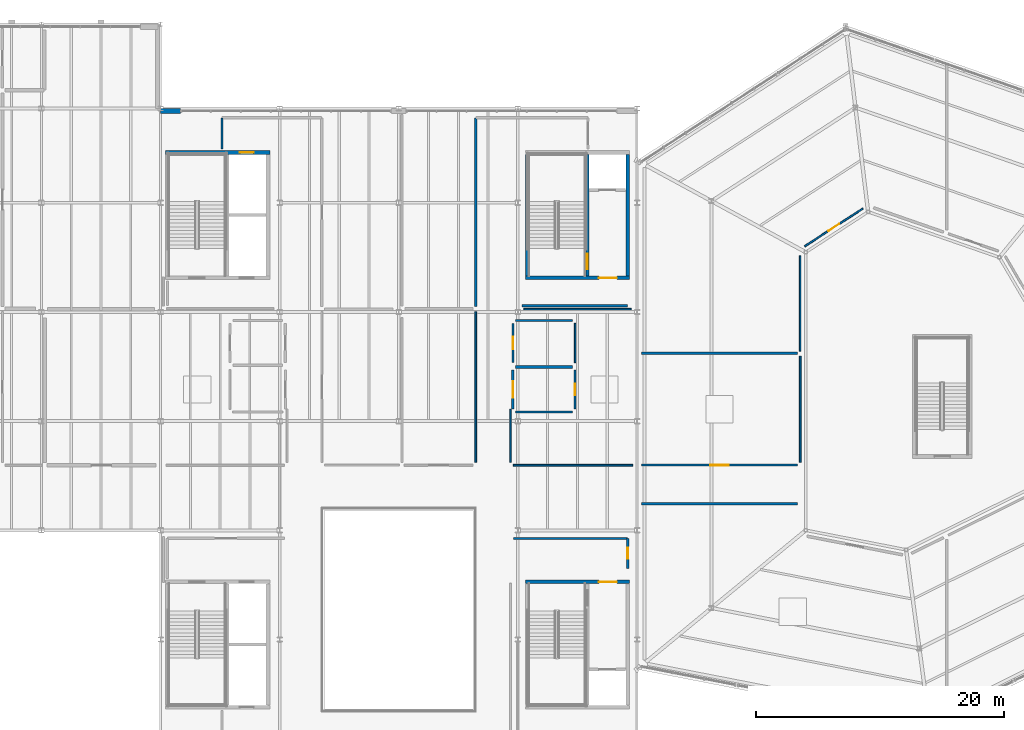
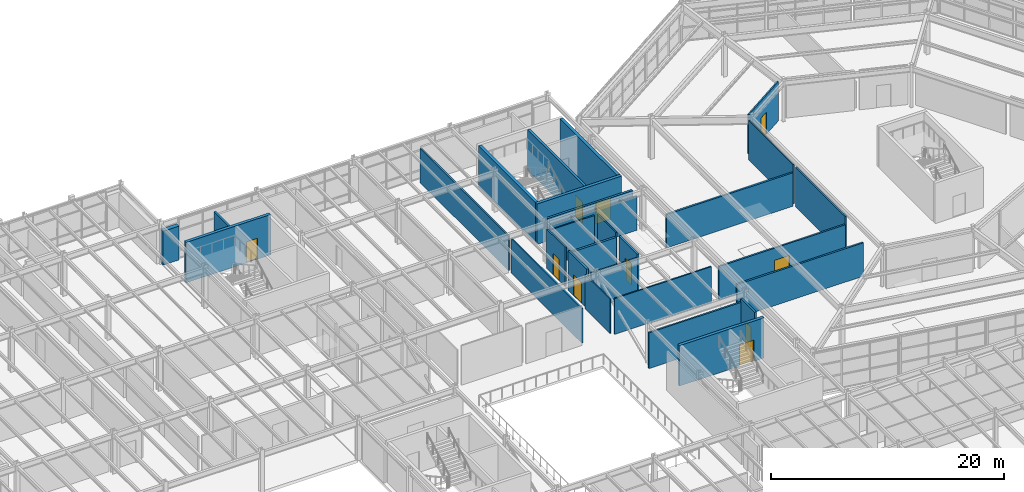
# One storey, part 61 of 77: 29 walls, 10 doors, 10 openings.
"""IFC4 building model written with IfcOpenShell, lengths in metres."""

import ifcopenshell
import ifcopenshell.guid

model = None  # the IFC model being written
_history = None  # IfcOwnerHistory: only IFC2X3 demands one
_inside = {}  # id of a spatial element -> (the spatial element, [elements in it])
_under = {}  # id of a project, library or spatial element -> (it, [spatial elements below it])
_declared = {}  # id of a project -> (the project, [libraries it declares])
_typed = {}  # id of a type object -> (the type object, [elements of that type])
_made_of = {}  # id of a material, layer set ... -> (it, [elements and type objects made of it])


def new_model(schema):
    """Start an empty IFC model of exactly this schema.

    Asked for "IFC4X3", IfcOpenShell would pick the latest addendum, in which some entities
    have other attributes; the version numbers below select the first issue.
    IFC2X3 requires an IfcOwnerHistory on every rooted entity: one is made here for all.
    """
    global model, _history
    if schema == "IFC4X3":
        model = ifcopenshell.file(schema_version=(4, 3, 0, 0))
    else:
        model = ifcopenshell.file(schema=schema)
    _inside.clear()
    _under.clear()
    _declared.clear()
    _typed.clear()
    _made_of.clear()
    _history = None
    if model.schema == "IFC2X3":
        org = make("IfcOrganization", Name="unknown")
        user = make(
            "IfcPersonAndOrganization",
            ThePerson=make("IfcPerson", FamilyName="unknown"),
            TheOrganization=org,
        )
        app = make(
            "IfcApplication",
            ApplicationDeveloper=org,
            Version="unknown",
            ApplicationFullName="unknown",
            ApplicationIdentifier="unknown",
        )
        _history = make(
            "IfcOwnerHistory",
            OwningUser=user,
            OwningApplication=app,
            ChangeAction="ADDED",
            CreationDate=0,
        )
    return model


def make(cls, **values):
    """One entity of the class cls with the attributes given. An attribute that is None is left unset."""
    return model.create_entity(
        cls, **{name: value for name, value in values.items() if value is not None}
    )


def rooted(cls, **values):
    """An entity with a GlobalId (a new one), such as an element, a storey or a relation."""
    return make(cls, GlobalId=ifcopenshell.guid.new(), OwnerHistory=_history, **values)


def si_unit(unit_type, name, prefix=None):
    """IfcSIUnit, for example si_unit("LENGTHUNIT", "METRE", prefix="MILLI")."""
    return make("IfcSIUnit", UnitType=unit_type, Prefix=prefix, Name=name)


def assignment(units):
    """IfcUnitAssignment: the units of a project."""
    return None if units is None else make("IfcUnitAssignment", Units=units)


def point(xyz):
    """IfcCartesianPoint."""
    return None if xyz is None else make("IfcCartesianPoint", Coordinates=xyz)


def direction(xyz):
    """IfcDirection."""
    return None if xyz is None else make("IfcDirection", DirectionRatios=xyz)


def frame(location, z_axis=None, x_axis=None):
    """IfcAxis2Placement3D, a coordinate frame: its origin and axes. An axis left out is left unset."""
    return make(
        "IfcAxis2Placement3D",
        Location=point(location),
        Axis=direction(z_axis),
        RefDirection=direction(x_axis),
    )


def frame_2d(location, x_axis=None):
    """IfcAxis2Placement2D, a coordinate frame in the plane: its origin and x axis."""
    return make(
        "IfcAxis2Placement2D", Location=point(location), RefDirection=direction(x_axis)
    )


def origin():
    """The frame at (0, 0, 0) with its axes left unset."""
    return frame((0.0, 0.0, 0.0))


def place(relative_to, where):
    """IfcLocalPlacement: puts the frame where relative to a parent placement (None: the world)."""
    return make(
        "IfcLocalPlacement", PlacementRelTo=relative_to, RelativePlacement=where
    )


def context(
    kind, dimensions, precision=None, world=None, true_north=None, identifier=None
):
    """IfcGeometricRepresentationContext, for example the 3D "Model" context."""
    return make(
        "IfcGeometricRepresentationContext",
        ContextIdentifier=identifier,
        ContextType=kind,
        CoordinateSpaceDimension=dimensions,
        Precision=precision,
        WorldCoordinateSystem=world,
        TrueNorth=true_north,
    )


def subcontext(parent, identifier, kind, view, scale=None):
    """IfcGeometricRepresentationSubContext, for example "Body" below "Model"."""
    return make(
        "IfcGeometricRepresentationSubContext",
        ContextIdentifier=identifier,
        ContextType=kind,
        ParentContext=parent,
        TargetScale=scale,
        TargetView=view,
    )


def project(units=None, contexts=None):
    """IfcProject with its units and contexts."""
    return rooted(
        "IfcProject",
        Name="project",
        RepresentationContexts=contexts,
        UnitsInContext=assignment(units),
    )


def spatial(cls, under=None, at=None, **own):
    """A site, building, storey or space (cls), placed at a placement, below another one or the project."""
    s = rooted(cls, ObjectPlacement=at, **own)
    if under is not None:
        _under.setdefault(under.id(), (under, []))[1].append(s)
    return s


def profile(cls, at=None, kind="AREA", **sizes):
    """A parametric profile (cls). Its sizes go by their IFC names, for example OverallWidth=200.0."""
    return make(cls, ProfileType=kind, Position=at, **sizes)


def rectangle(**sizes):
    """IfcRectangleProfileDef."""
    return profile("IfcRectangleProfileDef", **sizes)


def extrude(swept, where, along, depth):
    """IfcExtrudedAreaSolid: the profile swept, set in the frame where, extruded along a direction by depth."""
    return make(
        "IfcExtrudedAreaSolid",
        SweptArea=swept,
        Position=where,
        ExtrudedDirection=direction(along),
        Depth=depth,
    )


def shape(context_of_items, identifier, shape_type, items):
    """IfcShapeRepresentation: the items that make up one representation, for example the "Body"."""
    return make(
        "IfcShapeRepresentation",
        ContextOfItems=context_of_items,
        RepresentationIdentifier=identifier,
        RepresentationType=shape_type,
        Items=items,
    )


def material(Name=None, Category=None):
    """IfcMaterial."""
    return make("IfcMaterial", Name=Name, Category=Category)


def layer(
    of_material, thickness, ventilated=None, Name=None, Category=None, Priority=None
):
    """IfcMaterialLayer: one layer of a wall or slab, of a material (None: an air gap)."""
    return make(
        "IfcMaterialLayer",
        Material=of_material,
        LayerThickness=thickness,
        IsVentilated=ventilated,
        Name=Name,
        Category=Category,
        Priority=Priority,
    )


def layer_set(layers, Name=None):
    """IfcMaterialLayerSet."""
    return make("IfcMaterialLayerSet", MaterialLayers=layers, LayerSetName=Name)


def made_of(thing, what):
    """Note that an element or type object is made of a material, layer set ...; save() writes the relation."""
    if what is not None:
        _made_of.setdefault(what.id(), (what, []))[1].append(thing)
    return thing


def type_object(cls, material=None, **own):
    """A type object (cls), such as IfcWallType, which elements share."""
    return made_of(rooted(cls, **own), material)


def element(
    cls,
    number,
    at=None,
    inside=None,
    cuts=None,
    type_object=None,
    material=None,
    context=None,
    identifier="Body",
    shape_type=None,
    held_by="IfcProductDefinitionShape",
    body=None,
    shapes=None,
    **own,
):
    """One element of the class cls, such as IfcWall. Its Tag is "e" and its number.

    at: its placement. inside: the storey or other place that contains it. cuts: it is an
    opening in that element (IfcRelVoidsElement). A single representation is given by context,
    identifier, shape_type and body (its items); several are given by shapes. held_by: the class
    of the entity that holds the representations. save() writes the other relations.
    """
    e = rooted(cls, Tag="e%d" % number, ObjectPlacement=at, **own)
    if body is not None:
        shapes = [shape(context, identifier, shape_type, body)]
    if shapes is not None:
        e.Representation = make(held_by, Representations=shapes)
    if inside is not None:
        _inside.setdefault(inside.id(), (inside, []))[1].append(e)
    if cuts is not None:
        rooted(
            "IfcRelVoidsElement", RelatingBuildingElement=cuts, RelatedOpeningElement=e
        )
    if type_object is not None:
        _typed.setdefault(type_object.id(), (type_object, []))[1].append(e)
    return made_of(e, material)


def fill(opening, filler):
    """IfcRelFillsElement: the door or window that sits in an opening."""
    return rooted(
        "IfcRelFillsElement",
        RelatingOpeningElement=opening,
        RelatedBuildingElement=filler,
    )


def aggregate(whole, parts):
    """IfcRelAggregates: a whole, such as a stair, and the parts it consists of."""
    return rooted("IfcRelAggregates", RelatingObject=whole, RelatedObjects=parts)


def save(model, path):
    """Write the relations noted so far, then the file.

    IfcRelAggregates (storeys below a building ...), IfcRelContainedInSpatialStructure (elements
    in a storey), IfcRelDefinesByType, IfcRelAssociatesMaterial and IfcRelDeclares: one each for
    every whole, place, type object, material and project.
    """
    for whole, parts in _under.values():
        aggregate(whole, parts)
    for where, things in _inside.values():
        rooted(
            "IfcRelContainedInSpatialStructure",
            RelatedElements=things,
            RelatingStructure=where,
        )
    for kind, things in _typed.values():
        rooted("IfcRelDefinesByType", RelatedObjects=things, RelatingType=kind)
    for what, things in _made_of.values():
        rooted("IfcRelAssociatesMaterial", RelatedObjects=things, RelatingMaterial=what)
    for by, libraries in _declared.values():
        rooted("IfcRelDeclares", RelatingContext=by, RelatedDefinitions=libraries)
    model.write(path)


model = new_model("IFC4")

# Units and contexts
model_context = context("Model", 3, precision=1e-05, world=origin(), true_north=direction((0.0, 1.0)))
body_context = subcontext(model_context, "Body", "Model", "MODEL_VIEW")
ifc_project = project(units=[si_unit("LENGTHUNIT", "METRE"), si_unit("AREAUNIT", "SQUARE_METRE"), si_unit("VOLUMEUNIT", "CUBIC_METRE"), si_unit("PLANEANGLEUNIT", "RADIAN"), si_unit("MASSUNIT", "GRAM", prefix="KILO")], contexts=[model_context])

# Site, building, storey
site_placement = place(None, origin())
site = spatial("IfcSite", under=ifc_project, at=site_placement, CompositionType="ELEMENT")
building_placement = place(site_placement, origin())
building = spatial("IfcBuilding", under=site, at=building_placement, Name="Sarnbrook Museum", CompositionType="ELEMENT")
storey_placement = place(building_placement, frame((0.0, 0.0, 5.60009765625)))
storey = spatial("IfcBuildingStorey", under=building, at=storey_placement, Name="L01", CompositionType="ELEMENT", Elevation=5.60009765625)

# Wall, opening, door
ifc_material_1 = material(Name="Concrete N50 (AS 3600, f'c = 50 MPa)", Category="concrete")
ifc_layer_1 = layer(ifc_material_1, 0.300048828125)
ifc_layer_set_1 = layer_set([ifc_layer_1], Name="Concrete N50 (AS 3600, f'c = 50 MPa)")
wall_type_1 = type_object("IfcWallType", Name="CoreWall_CWRC", PredefinedType="SHEAR", material=ifc_layer_set_1)
wall_1_placement = place(storey_placement, frame((118.60009765625, 70.25, 0.0), z_axis=(0.0, 0.0, 1.0), x_axis=(-1.0, 0.0, 0.0)))
wall_1 = element("IfcWall", 1, at=wall_1_placement, inside=storey, type_object=wall_type_1, Name="Core C1 Shear Wall N L01", PredefinedType="SHEAR", context=body_context, shape_type="SweptSolid", body=[
    extrude(rectangle(XDim=8.400146484375, YDim=0.300048828125, at=frame_2d((4.2001953125, 0.0))), origin(), (0.0, 0.0, 1.0), 4.244873046875),
])
opening_1_placement = place(wall_1_placement, frame((1.02490234375, 0.0, 0.0)))
opening_1 = element("IfcOpeningElement", 2, at=opening_1_placement, cuts=wall_1, Name="Opening D-LOB-C1-L01", PredefinedType="OPENING", context=body_context, shape_type="SweptSolid", body=[
    extrude(rectangle(XDim=1.449951171875, YDim=2.25, at=frame_2d((0.72509765625, 1.125))), frame((0.0, 0.16015625, 0.0), z_axis=(0.0, -1.0, 0.0), x_axis=(1.0, 0.0, 0.0)), (0.0, 0.0, 1.0), 0.320068359375),
])
ifc_material_2 = material(Name="Tasmanian Oak Acoustic Timber", Category="wood")
door_type_1 = type_object("IfcDoorType", Name="FireDoor_FD120W", OperationType="NOTDEFINED", PredefinedType="DOOR", material=ifc_material_2)
door_1_placement = place(opening_1_placement, origin())
door_1 = element("IfcDoor", 3, at=door_1_placement, inside=storey, type_object=door_type_1, Name="Core C1 Fire Lobby Entry Door L01", OperationType="SINGLE_SWING_RIGHT", OverallHeight=2.25, OverallWidth=1.449951171875, PredefinedType="DOOR", context=body_context, shape_type="SweptSolid", body=[
    extrude(rectangle(XDim=1.449951171875, YDim=2.25, at=frame_2d((0.72509765625, 1.125))), frame((0.0, 0.02490234375, 0.0), z_axis=(0.0, -1.0, 0.0), x_axis=(1.0, 0.0, 0.0)), (0.0, 0.0, 1.0), 0.050048828125),
])
fill(opening_1, door_1)

wall_2_placement = place(storey_placement, frame((110.199951171875, 94.75, 0.0), z_axis=(0.0, 0.0, 1.0), x_axis=(1.0, 0.0, 0.0)))
wall_2 = element("IfcWall", 4, at=wall_2_placement, inside=storey, type_object=wall_type_1, Name="Core C2 Shear Wall S L01", PredefinedType="SHEAR", context=body_context, shape_type="SweptSolid", body=[
    extrude(rectangle(XDim=8.400146484375, YDim=0.300048828125, at=frame_2d((4.2001953125, 0.0))), origin(), (0.0, 0.0, 1.0), 4.244873046875),
])
opening_2_placement = place(wall_2_placement, frame((5.925048828125, 0.0, 0.0)))
opening_2 = element("IfcOpeningElement", 5, at=opening_2_placement, cuts=wall_2, Name="Opening D-LOB-C2-L01", PredefinedType="OPENING", context=body_context, shape_type="SweptSolid", body=[
    extrude(rectangle(XDim=1.449951171875, YDim=2.25, at=frame_2d((0.72509765625, 1.125))), frame((0.0, 0.16015625, 0.0), z_axis=(0.0, -1.0, 0.0), x_axis=(1.0, 0.0, 0.0)), (0.0, 0.0, 1.0), 0.320068359375),
])
door_2_placement = place(opening_2_placement, origin())
door_2 = element("IfcDoor", 6, at=door_2_placement, inside=storey, type_object=door_type_1, Name="Core C2 Fire Lobby Entry Door L01", OperationType="SINGLE_SWING_RIGHT", OverallHeight=2.25, OverallWidth=1.449951171875, PredefinedType="DOOR", context=body_context, shape_type="SweptSolid", body=[
    extrude(rectangle(XDim=1.449951171875, YDim=2.25, at=frame_2d((0.72509765625, 1.125))), frame((0.0, 0.02490234375, 0.0), z_axis=(0.0, -1.0, 0.0), x_axis=(1.0, 0.0, 0.0)), (0.0, 0.0, 1.0), 0.050048828125),
])
fill(opening_2, door_2)

# Walls
for number, where, z_axis, x_axis, name in (
    (7, (118.449951171875, 94.909912109375, 0.0), (0.0, 0.0, 1.0), (0.0, 1.0, 0.0), "Core C2 Shear Wall E L01"),
    (8, (110.35009765625, 104.68994140625, 0.0), (0.0, 0.0, 1.0), (0.0, -1.0, 0.0), "Core C2 Shear Wall W L01"),
):
    element("IfcWall", number, at=place(storey_placement, frame(where, z_axis=z_axis, x_axis=x_axis)), inside=storey, type_object=wall_type_1, Name=name, PredefinedType="SHEAR", context=body_context, shape_type="SweptSolid", body=[
        extrude(rectangle(XDim=9.780029296875, YDim=0.300048828125, at=frame_2d((4.89013671875, 0.0))), origin(), (0.0, 0.0, 1.0), 4.244873046875),
    ])

# Wall, opening, door
wall_3_placement = place(storey_placement, frame((89.60009765625, 104.85009765625, 0.0), z_axis=(0.0, 0.0, 1.0), x_axis=(-1.0, 0.0, 0.0)))
wall_3 = element("IfcWall", 9, at=wall_3_placement, inside=storey, type_object=wall_type_1, Name="Core C4 Shear Wall N L01", PredefinedType="SHEAR", context=body_context, shape_type="SweptSolid", body=[
    extrude(rectangle(XDim=8.400146484375, YDim=0.300048828125, at=frame_2d((4.2001953125, 0.0))), origin(), (0.0, 0.0, 1.0), 4.244873046875),
])
opening_3_placement = place(wall_3_placement, frame((1.300048828125, 0.0, 0.0)))
opening_3 = element("IfcOpeningElement", 10, at=opening_3_placement, cuts=wall_3, Name="Opening LD-PL4-L01", PredefinedType="OPENING", context=body_context, shape_type="SweptSolid", body=[
    extrude(rectangle(XDim=1.10009765625, YDim=2.199951171875, at=frame_2d((0.550048828125, 1.10009765625))), frame((0.0, 0.16015625, 0.0), z_axis=(0.0, -1.0, 0.0), x_axis=(1.0, 0.0, 0.0)), (0.0, 0.0, 1.0), 0.320068359375),
])
ifc_material_3 = material(Name="Brushed Stainless Steel Grade 316", Category="steel")
door_type_2 = type_object("IfcDoorType", Name="LiftDoor_Pax110", OperationType="DOUBLE_DOOR_SLIDING", PredefinedType="DOOR", material=ifc_material_3)
door_3_placement = place(opening_3_placement, origin())
door_3 = element("IfcDoor", 11, at=door_3_placement, inside=storey, type_object=door_type_2, Name="Lift Landing Sliding Door LD-PL4-L01", OperationType="DOUBLE_DOOR_SLIDING", OverallHeight=2.199951171875, OverallWidth=1.10009765625, PredefinedType="DOOR", context=body_context, shape_type="SweptSolid", body=[
    extrude(rectangle(XDim=1.10009765625, YDim=2.199951171875, at=frame_2d((0.550048828125, 1.10009765625))), frame((0.0, 0.02490234375, 0.0), z_axis=(0.0, -1.0, 0.0), x_axis=(1.0, 0.0, 0.0)), (0.0, 0.0, 1.0), 0.050048828125),
])
fill(opening_3, door_3)

# Walls
ifc_material_4 = material(Name="Fire-Rated Acoustic Gypsum Plasterboard")
ifc_layer_2 = layer(ifc_material_4, 0.1201171875)
ifc_layer_set_2 = layer_set([ifc_layer_2], Name="Fire-Rated Acoustic Gypsum Plasterboard")
wall_type_2 = type_object("IfcWallType", Name="PartWall_P120", PredefinedType="PARTITIONING", material=ifc_layer_set_2)
wall_4_placement = place(storey_placement, frame((114.2099609375, 91.080078125, 0.0), z_axis=(0.0, 0.0, 1.0), x_axis=(0.0, -1.0, 0.0)))
element("IfcWall", 12, at=wall_4_placement, inside=storey, type_object=wall_type_2, Name="Interior Partition Wall L01-0300", PredefinedType="PARTITIONING", context=body_context, shape_type="SweptSolid", body=[
    extrude(rectangle(XDim=3.16015625, YDim=0.1201171875, at=frame_2d((1.580078125, 0.0))), origin(), (0.0, 0.0, 1.0), 3.916015625),
])
wall_5_placement = place(storey_placement, frame((132.35009765625, 96.52734375, 0.0), z_axis=(0.0, 0.0, 1.0), x_axis=(0.0, -1.0, 0.0)))
element("IfcWall", 13, at=wall_5_placement, inside=storey, type_object=wall_type_2, Name="Interior Partition Wall L01-0314", PredefinedType="PARTITIONING", context=body_context, shape_type="SweptSolid", body=[
    extrude(rectangle(XDim=7.674560546875, YDim=0.1201171875, at=frame_2d((3.83740234375, 0.0))), origin(), (0.0, 0.0, 1.0), 4.1298828125),
])
wall_6_placement = place(storey_placement, frame((118.719970703125, 92.219970703125, 0.0), z_axis=(0.0, 0.0, 1.0), x_axis=(-1.0, 0.0, 0.0)))
element("IfcWall", 14, at=wall_6_placement, inside=storey, type_object=wall_type_2, Name="Interior Partition Wall L01-0356", PredefinedType="PARTITIONING", context=body_context, shape_type="SweptSolid", body=[
    extrude(rectangle(XDim=8.639892578125, YDim=0.1201171875, at=frame_2d((4.31982421875, 0.0))), origin(), (0.0, 0.0, 1.0), 3.61279296875),
])
wall_7_placement = place(storey_placement, frame((109.0, 79.8798828125, 0.0), z_axis=(0.0, 0.0, 1.0), x_axis=(0.0, 1.0, 0.0)))
element("IfcWall", 15, at=wall_7_placement, inside=storey, type_object=wall_type_2, Name="Interior Partition Wall L01-0370", PredefinedType="PARTITIONING", context=body_context, shape_type="SweptSolid", body=[
    extrude(rectangle(XDim=4.2900390625, YDim=0.1201171875, at=frame_2d((2.14501953125, 0.0))), origin(), (0.0, 0.0, 1.0), 3.61279296875),
])
ifc_layer_3 = layer(ifc_material_4, 0.135009765625)
ifc_layer_set_3 = layer_set([ifc_layer_3], Name="Fire-Rated Acoustic Gypsum Plasterboard")
wall_type_3 = type_object("IfcWallType", Name="PartWall_P135", PredefinedType="PARTITIONING", material=ifc_layer_set_3)
wall_8_placement = place(storey_placement, frame((109.419921875, 91.31005859375, 0.0), z_axis=(0.0, 0.0, 1.0), x_axis=(1.0, 0.0, 0.0)))
element("IfcWall", 16, at=wall_8_placement, inside=storey, type_object=wall_type_3, Name="Interior Partition Wall L01-0299", PredefinedType="PARTITIONING", context=body_context, shape_type="SweptSolid", body=[
    extrude(rectangle(XDim=4.56005859375, YDim=0.135009765625, at=frame_2d((2.280029296875, 0.0))), origin(), (0.0, 0.0, 1.0), 3.762939453125),
])

# Wall, opening, door
wall_9_placement = place(storey_placement, frame((137.409423828125, 100.339111328125, 0.0), z_axis=(0.0, 0.0, 1.0), x_axis=(-0.838914477988, -0.544263262238, 0.0)))
wall_9 = element("IfcWall", 17, at=wall_9_placement, inside=storey, type_object=wall_type_3, Name="Interior Partition Wall L01-0313", PredefinedType="PARTITIONING", context=body_context, shape_type="SweptSolid", body=[
    extrude(rectangle(XDim=5.599609375, YDim=0.135009765625, at=frame_2d((2.7998046875, 0.0))), origin(), (0.0, 0.0, 1.0), 4.1298828125),
])
opening_4_placement = place(wall_9_placement, frame((2.27490234375, 0.0, 0.0)))
opening_4 = element("IfcOpeningElement", 18, at=opening_4_placement, cuts=wall_9, Name="Opening D-L01-097", PredefinedType="OPENING", context=body_context, shape_type="SweptSolid", body=[
    extrude(rectangle(XDim=1.050048828125, YDim=2.340087890625, at=frame_2d((0.52490234375, 1.169921875))), frame((0.0, 0.07763671875, 0.0), z_axis=(0.0, -1.0, 0.0), x_axis=(1.0, 0.0, 0.0)), (0.0, 0.0, 1.0), 0.155029296875),
])
door_type_3 = type_object("IfcDoorType", Name="IntDoor_DT21", OperationType="NOTDEFINED", PredefinedType="DOOR", material=ifc_material_2)
door_4_placement = place(opening_4_placement, origin())
door_4 = element("IfcDoor", 19, at=door_4_placement, inside=storey, type_object=door_type_3, Name="Auditorium Upper Balcony & Projection L01-3 Door D-L01-097", OperationType="SINGLE_SWING_LEFT", OverallHeight=2.340087890625, OverallWidth=1.050048828125, PredefinedType="DOOR", context=body_context, shape_type="SweptSolid", body=[
    extrude(rectangle(XDim=1.050048828125, YDim=2.340087890625, at=frame_2d((0.52490234375, 1.169921875))), frame((0.0, 0.02490234375, 0.0), z_axis=(0.0, -1.0, 0.0), x_axis=(1.0, 0.0, 0.0)), (0.0, 0.0, 1.0), 0.050048828125),
])
fill(opening_4, door_4)

# Walls
wall_10_placement = place(storey_placement, frame((106.199951171875, 92.030029296875, 0.0), z_axis=(0.0, 0.0, 1.0), x_axis=(0.0, -1.0, 0.0)))
element("IfcWall", 20, at=wall_10_placement, inside=storey, type_object=wall_type_3, Name="Interior Partition Wall L01-0355", PredefinedType="PARTITIONING", context=body_context, shape_type="SweptSolid", body=[
    extrude(rectangle(XDim=12.150146484375, YDim=0.135009765625, at=frame_2d((6.0751953125, 0.0))), origin(), (0.0, 0.0, 1.0), 3.61279296875),
])
wall_11_placement = place(storey_placement, frame((118.840087890625, 79.64990234375, 0.0), z_axis=(0.0, 0.0, 1.0), x_axis=(-1.0, 0.0, 0.0)))
element("IfcWall", 21, at=wall_11_placement, inside=storey, type_object=wall_type_3, Name="Interior Partition Wall L01-0369", PredefinedType="PARTITIONING", context=body_context, shape_type="SweptSolid", body=[
    extrude(rectangle(XDim=9.610107421875, YDim=0.135009765625, at=frame_2d((4.80517578125, 0.0))), origin(), (0.0, 0.0, 1.0), 3.762939453125),
])

# Wall, opening, door
ifc_layer_4 = layer(ifc_material_4, 0.14990234375)
ifc_layer_set_4 = layer_set([ifc_layer_4], Name="Fire-Rated Acoustic Gypsum Plasterboard")
wall_type_4 = type_object("IfcWallType", Name="PartWall_P150", PredefinedType="PARTITIONING", material=ifc_layer_set_4)
wall_12_placement = place(storey_placement, frame((109.18994140625, 87.919921875, 0.0), z_axis=(0.0, 0.0, 1.0), x_axis=(0.0, 1.0, 0.0)))
wall_12 = element("IfcWall", 22, at=wall_12_placement, inside=storey, type_object=wall_type_4, Name="Interior Partition Wall L01-0298", PredefinedType="PARTITIONING", context=body_context, shape_type="SweptSolid", body=[
    extrude(rectangle(XDim=3.16015625, YDim=0.14990234375, at=frame_2d((1.580078125, 0.0))), origin(), (0.0, 0.0, 1.0), 4.1298828125),
])
opening_5_placement = place(wall_12_placement, frame((1.070068359375, 0.0, 0.0)))
opening_5 = element("IfcOpeningElement", 23, at=opening_5_placement, cuts=wall_12, Name="Opening D-L01-091", PredefinedType="OPENING", context=body_context, shape_type="SweptSolid", body=[
    extrude(rectangle(XDim=1.02001953125, YDim=2.239990234375, at=frame_2d((0.510009765625, 1.1201171875))), frame((0.0, 0.0849609375, 0.0), z_axis=(0.0, -1.0, 0.0), x_axis=(1.0, 0.0, 0.0)), (0.0, 0.0, 1.0), 0.169921875),
])
door_type_4 = type_object("IfcDoorType", Name="IntDoor_DT15", OperationType="NOTDEFINED", PredefinedType="DOOR", material=ifc_material_2)
door_5_placement = place(opening_5_placement, origin())
door_5 = element("IfcDoor", 24, at=door_5_placement, inside=storey, type_object=door_type_4, Name="Public Female Toilets L01 Door D-L01-091", OperationType="SINGLE_SWING_LEFT", OverallHeight=2.239990234375, OverallWidth=1.02001953125, PredefinedType="DOOR", context=body_context, shape_type="SweptSolid", body=[
    extrude(rectangle(XDim=1.02001953125, YDim=2.239990234375, at=frame_2d((0.510009765625, 1.1201171875))), frame((0.0, 0.02490234375, 0.0), z_axis=(0.0, -1.0, 0.0), x_axis=(1.0, 0.0, 0.0)), (0.0, 0.0, 1.0), 0.050048828125),
])
fill(opening_5, door_5)

# Walls
wall_13_placement = place(storey_placement, frame((132.35009765625, 88.432861328125, 0.0), z_axis=(0.0, 0.0, 1.0), x_axis=(0.0, -1.0, 0.0)))
element("IfcWall", 25, at=wall_13_placement, inside=storey, type_object=wall_type_4, Name="Interior Partition Wall L01-0312", PredefinedType="PARTITIONING", context=body_context, shape_type="SweptSolid", body=[
    extrude(rectangle(XDim=8.552978515625, YDim=0.14990234375, at=frame_2d((4.2763671875, 0.0))), origin(), (0.0, 0.0, 1.0), 4.1298828125),
])
ifc_layer_5 = layer(ifc_material_4, 0.1650390625)
ifc_layer_set_5 = layer_set([ifc_layer_5], Name="Fire-Rated Acoustic Gypsum Plasterboard")
wall_type_5 = type_object("IfcWallType", Name="PartWall_P165", PredefinedType="PARTITIONING", material=ifc_layer_set_5)
wall_14_placement = place(storey_placement, frame((113.97998046875, 83.93994140625, 0.0), z_axis=(0.0, 0.0, 1.0), x_axis=(-1.0, 0.0, 0.0)))
element("IfcWall", 26, at=wall_14_placement, inside=storey, type_object=wall_type_5, Name="Interior Partition Wall L01-0297", PredefinedType="PARTITIONING", context=body_context, shape_type="SweptSolid", body=[
    extrude(rectangle(XDim=4.56005859375, YDim=0.1650390625, at=frame_2d((2.280029296875, 0.0))), origin(), (0.0, 0.0, 1.0), 3.762939453125),
])

# Wall, opening, door
wall_15_placement = place(storey_placement, frame((132.1201171875, 79.64990234375, 0.0), z_axis=(0.0, 0.0, 1.0), x_axis=(-1.0, 0.0, 0.0)))
wall_15 = element("IfcWall", 27, at=wall_15_placement, inside=storey, type_object=wall_type_5, Name="Interior Partition Wall L01-0311", PredefinedType="PARTITIONING", context=body_context, shape_type="SweptSolid", body=[
    extrude(rectangle(XDim=12.56005859375, YDim=0.1650390625, at=frame_2d((6.280029296875, 0.0))), origin(), (0.0, 0.0, 1.0), 3.510009765625),
])
opening_6_placement = place(wall_15_placement, frame((5.5400390625, 0.0, 0.0)))
opening_6 = element("IfcOpeningElement", 28, at=opening_6_placement, cuts=wall_15, Name="Opening D-L01-096", PredefinedType="OPENING", context=body_context, shape_type="SweptSolid", body=[
    extrude(rectangle(XDim=1.47998046875, YDim=2.239990234375, at=frame_2d((0.739990234375, 1.1201171875))), frame((0.0, 0.092529296875, 0.0), z_axis=(0.0, -1.0, 0.0), x_axis=(1.0, 0.0, 0.0)), (0.0, 0.0, 1.0), 0.18505859375),
])
door_type_5 = type_object("IfcDoorType", Name="IntDoor_DT20", OperationType="NOTDEFINED", PredefinedType="DOOR", material=ifc_material_2)
door_6_placement = place(opening_6_placement, origin())
door_6 = element("IfcDoor", 29, at=door_6_placement, inside=storey, type_object=door_type_5, Name="Southern Ocean Specimen Hall L01-2 Door D-L01-096", OperationType="SINGLE_SWING_RIGHT", OverallHeight=2.239990234375, OverallWidth=1.47998046875, PredefinedType="DOOR", context=body_context, shape_type="SweptSolid", body=[
    extrude(rectangle(XDim=1.47998046875, YDim=2.239990234375, at=frame_2d((0.739990234375, 1.1201171875))), frame((0.0, 0.02490234375, 0.0), z_axis=(0.0, -1.0, 0.0), x_axis=(1.0, 0.0, 0.0)), (0.0, 0.0, 1.0), 0.050048828125),
])
fill(opening_6, door_6)

# Walls
wall_16_placement = place(storey_placement, frame((106.199951171875, 107.639892578125, 0.0), z_axis=(0.0, 0.0, 1.0), x_axis=(0.0, -1.0, 0.0)))
element("IfcWall", 30, at=wall_16_placement, inside=storey, type_object=wall_type_5, Name="Interior Partition Wall L01-0360", PredefinedType="PARTITIONING", context=body_context, shape_type="SweptSolid", body=[
    extrude(rectangle(XDim=15.18994140625, YDim=0.1650390625, at=frame_2d((7.594970703125, 0.0))), origin(), (0.0, 0.0, 1.0), 3.61279296875),
])
wall_17_placement = place(storey_placement, frame((118.43994140625, 73.75, 0.0), z_axis=(0.0, 0.0, 1.0), x_axis=(-1.0, 0.0, 0.0)))
element("IfcWall", 31, at=wall_17_placement, inside=storey, type_object=wall_type_5, Name="Interior Partition Wall L01-0367", PredefinedType="PARTITIONING", context=body_context, shape_type="SweptSolid", body=[
    extrude(rectangle(XDim=9.2099609375, YDim=0.1650390625, at=frame_2d((4.60498046875, 0.0))), origin(), (0.0, 0.0, 1.0), 3.762939453125),
])

# Wall, opening, door
ifc_layer_6 = layer(ifc_material_4, 0.179931640625)
ifc_layer_set_6 = layer_set([ifc_layer_6], Name="Fire-Rated Acoustic Gypsum Plasterboard")
wall_type_6 = type_object("IfcWallType", Name="PartWall_P180", PredefinedType="PARTITIONING", material=ifc_layer_set_6)
wall_18_placement = place(storey_placement, frame((114.2099609375, 87.330078125, 0.0), z_axis=(0.0, 0.0, 1.0), x_axis=(0.0, -1.0, 0.0)))
wall_18 = element("IfcWall", 32, at=wall_18_placement, inside=storey, type_object=wall_type_6, Name="Interior Partition Wall L01-0296", PredefinedType="PARTITIONING", context=body_context, shape_type="SweptSolid", body=[
    extrude(rectangle(XDim=3.16015625, YDim=0.179931640625, at=frame_2d((1.580078125, 0.0))), origin(), (0.0, 0.0, 1.0), 3.916015625),
])
opening_7_placement = place(wall_18_placement, frame((1.10009765625, 0.0, 0.0)))
opening_7 = element("IfcOpeningElement", 33, at=opening_7_placement, cuts=wall_18, Name="Opening D-L01-090", PredefinedType="OPENING", context=body_context, shape_type="SweptSolid", body=[
    extrude(rectangle(XDim=0.9599609375, YDim=2.239990234375, at=frame_2d((0.47998046875, 1.1201171875))), frame((0.0, 0.10009765625, 0.0), z_axis=(0.0, -1.0, 0.0), x_axis=(1.0, 0.0, 0.0)), (0.0, 0.0, 1.0), 0.199951171875),
])
door_type_6 = type_object("IfcDoorType", Name="IntDoor_DT14", OperationType="NOTDEFINED", PredefinedType="DOOR", material=ifc_material_2)
door_7_placement = place(opening_7_placement, frame((0.9599609375, 0.0, 0.0), z_axis=(0.0, 0.0, 1.0), x_axis=(-1.0, 0.0, 0.0)))
door_7 = element("IfcDoor", 34, at=door_7_placement, inside=storey, type_object=door_type_6, Name="Southern Ocean Specimen Hall L01-23 Door D-L01-090", OperationType="SINGLE_SWING_RIGHT", OverallHeight=2.239990234375, OverallWidth=0.9599609375, PredefinedType="DOOR", context=body_context, shape_type="SweptSolid", body=[
    extrude(rectangle(XDim=0.9599609375, YDim=2.239990234375, at=frame_2d((0.47998046875, 1.1201171875))), frame((0.0, 0.02490234375, 0.0), z_axis=(0.0, -1.0, 0.0), x_axis=(1.0, 0.0, 0.0)), (0.0, 0.0, 1.0), 0.050048828125),
])
fill(opening_7, door_7)

# Walls
wall_19_placement = place(storey_placement, frame((119.56005859375, 76.550048828125, 0.0), z_axis=(0.0, 0.0, 1.0), x_axis=(1.0, 0.0, 0.0)))
element("IfcWall", 35, at=wall_19_placement, inside=storey, type_object=wall_type_6, Name="Interior Partition Wall L01-0310", PredefinedType="PARTITIONING", context=body_context, shape_type="SweptSolid", body=[
    extrude(rectangle(XDim=12.56005859375, YDim=0.179931640625, at=frame_2d((6.280029296875, 0.0))), origin(), (0.0, 0.0, 1.0), 3.510009765625),
])
wall_20_placement = place(storey_placement, frame((85.75, 107.639892578125, 0.0), z_axis=(0.0, 0.0, 1.0), x_axis=(0.0, -1.0, 0.0)))
element("IfcWall", 36, at=wall_20_placement, inside=storey, type_object=wall_type_6, Name="Interior Partition Wall L01-0338", PredefinedType="PARTITIONING", context=body_context, shape_type="SweptSolid", body=[
    extrude(rectangle(XDim=2.519775390625, YDim=0.179931640625, at=frame_2d((1.259765625, 0.0))), origin(), (0.0, 0.0, 1.0), 4.1298828125),
])

# Wall, opening, door
wall_21_placement = place(storey_placement, frame((118.449951171875, 71.342041015625, 0.0), z_axis=(0.0, 0.0, 1.0), x_axis=(0.0, 1.0, 0.0)))
wall_21 = element("IfcWall", 37, at=wall_21_placement, inside=storey, type_object=wall_type_6, Name="Interior Partition Wall L01-0366", PredefinedType="PARTITIONING", context=body_context, shape_type="SweptSolid", body=[
    extrude(rectangle(XDim=2.39794921875, YDim=0.179931640625, at=frame_2d((1.198974609375, 0.0))), origin(), (0.0, 0.0, 1.0), 4.1298828125),
])
opening_8_placement = place(wall_21_placement, frame((0.7490234375, 0.0, 0.0)))
opening_8 = element("IfcOpeningElement", 38, at=opening_8_placement, cuts=wall_21, Name="Opening D-L01-115", PredefinedType="OPENING", context=body_context, shape_type="SweptSolid", body=[
    extrude(rectangle(XDim=0.89990234375, YDim=2.080078125, at=frame_2d((0.449951171875, 1.0400390625))), frame((0.0, 0.10009765625, 0.0), z_axis=(0.0, -1.0, 0.0), x_axis=(1.0, 0.0, 0.0)), (0.0, 0.0, 1.0), 0.199951171875),
])
door_type_7 = type_object("IfcDoorType", Name="IntDoor_DT01", OperationType="NOTDEFINED", PredefinedType="DOOR", material=ifc_material_2)
door_8_placement = place(opening_8_placement, origin())
door_8 = element("IfcDoor", 39, at=door_8_placement, inside=storey, type_object=door_type_7, Name="Marine Biodiversity Gallery L01-22 Door D-L01-115", OperationType="SINGLE_SWING_LEFT", OverallHeight=2.080078125, OverallWidth=0.89990234375, PredefinedType="DOOR", context=body_context, shape_type="SweptSolid", body=[
    extrude(rectangle(XDim=0.89990234375, YDim=2.080078125, at=frame_2d((0.449951171875, 1.0400390625))), frame((0.0, 0.02490234375, 0.0), z_axis=(0.0, -1.0, 0.0), x_axis=(1.0, 0.0, 0.0)), (0.0, 0.0, 1.0), 0.050048828125),
])
fill(opening_8, door_8)

# Wall
wall_22_placement = place(storey_placement, frame((119.56005859375, 88.662841796875, 0.0), z_axis=(0.0, 0.0, 1.0), x_axis=(1.0, 0.0, 0.0)))
element("IfcWall", 40, at=wall_22_placement, inside=storey, type_object=wall_type_6, Name="Interior Partition Wall L01-0422", PredefinedType="PARTITIONING", context=body_context, shape_type="SweptSolid", body=[
    extrude(rectangle(XDim=12.56005859375, YDim=0.179931640625, at=frame_2d((6.280029296875, 0.0))), origin(), (0.0, 0.0, 1.0), 3.510009765625),
])

# Wall, opening, door
ifc_layer_7 = layer(ifc_material_4, 0.195068359375)
ifc_layer_set_7 = layer_set([ifc_layer_7], Name="Fire-Rated Acoustic Gypsum Plasterboard")
wall_type_7 = type_object("IfcWallType", Name="PartWall_P195", PredefinedType="PARTITIONING", material=ifc_layer_set_7)
wall_23_placement = place(storey_placement, frame((109.18994140625, 84.169921875, 0.0), z_axis=(0.0, 0.0, 1.0), x_axis=(0.0, 1.0, 0.0)))
wall_23 = element("IfcWall", 41, at=wall_23_placement, inside=storey, type_object=wall_type_7, Name="Interior Partition Wall L01-0295", PredefinedType="PARTITIONING", context=body_context, shape_type="SweptSolid", body=[
    extrude(rectangle(XDim=3.16015625, YDim=0.195068359375, at=frame_2d((1.580078125, 0.0))), origin(), (0.0, 0.0, 1.0), 4.1298828125),
])
opening_9_placement = place(wall_23_placement, frame((0.909912109375, 0.0, 0.0)))
opening_9 = element("IfcOpeningElement", 42, at=opening_9_placement, cuts=wall_23, Name="Opening D-L01-089", PredefinedType="OPENING", context=body_context, shape_type="SweptSolid", body=[
    extrude(rectangle(XDim=1.340087890625, YDim=2.159912109375, at=frame_2d((0.669921875, 1.080078125))), frame((0.0, 0.107421875, 0.0), z_axis=(0.0, -1.0, 0.0), x_axis=(1.0, 0.0, 0.0)), (0.0, 0.0, 1.0), 0.215087890625),
])
door_type_8 = type_object("IfcDoorType", Name="IntDoor_DT13", OperationType="NOTDEFINED", PredefinedType="DOOR", material=ifc_material_2)
door_9_placement = place(opening_9_placement, origin())
door_9 = element("IfcDoor", 43, at=door_9_placement, inside=storey, type_object=door_type_8, Name="Public Male Toilets L01 Door D-L01-089", OperationType="SINGLE_SWING_LEFT", OverallHeight=2.159912109375, OverallWidth=1.340087890625, PredefinedType="DOOR", context=body_context, shape_type="SweptSolid", body=[
    extrude(rectangle(XDim=1.340087890625, YDim=2.159912109375, at=frame_2d((0.669921875, 1.080078125))), frame((0.0, 0.02490234375, 0.0), z_axis=(0.0, -1.0, 0.0), x_axis=(1.0, 0.0, 0.0)), (0.0, 0.0, 1.0), 0.050048828125),
])
fill(opening_9, door_9)

# Walls
ifc_layer_8 = layer(ifc_material_4, 0.2099609375)
ifc_layer_set_8 = layer_set([ifc_layer_8], Name="Fire-Rated Acoustic Gypsum Plasterboard")
wall_type_8 = type_object("IfcWallType", Name="PartWall_P210", PredefinedType="PARTITIONING", material=ifc_layer_set_8)
wall_24_placement = place(storey_placement, frame((109.419921875, 87.56005859375, 0.0), z_axis=(0.0, 0.0, 1.0), x_axis=(1.0, 0.0, 0.0)))
element("IfcWall", 44, at=wall_24_placement, inside=storey, type_object=wall_type_8, Name="Interior Partition Wall L01-0294", PredefinedType="PARTITIONING", context=body_context, shape_type="SweptSolid", body=[
    extrude(rectangle(XDim=4.56005859375, YDim=0.2099609375, at=frame_2d((2.280029296875, 0.0))), origin(), (0.0, 0.0, 1.0), 3.762939453125),
])
wall_25_placement = place(storey_placement, frame((109.94287109375, 92.5, 0.0), z_axis=(0.0, 0.0, 1.0), x_axis=(1.0, 0.0, 0.0)))
element("IfcWall", 45, at=wall_25_placement, inside=storey, type_object=wall_type_8, Name="Interior Partition Wall L01-0357", PredefinedType="PARTITIONING", context=body_context, shape_type="SweptSolid", body=[
    extrude(rectangle(XDim=8.4970703125, YDim=0.2099609375, at=frame_2d((4.24853515625, 0.0))), origin(), (0.0, 0.0, 1.0), 4.1298828125),
])

# Wall, opening, door
ifc_material_5 = material(Name="Concrete N40 (AS 3600, f'c = 40 MPa)", Category="concrete")
ifc_layer_9 = layer(ifc_material_5, 0.239990234375)
ifc_layer_set_9 = layer_set([ifc_layer_9], Name="Concrete N40 (AS 3600, f'c = 40 MPa)")
wall_type_9 = type_object("IfcWallType", Name="ShaftWall_SWRC", PredefinedType="SOLIDWALL", material=ifc_layer_set_9)
wall_26_placement = place(storey_placement, frame((115.18994140625, 94.909912109375, 0.0), z_axis=(0.0, 0.0, 1.0), x_axis=(0.0, 1.0, 0.0)))
wall_26 = element("IfcWall", 46, at=wall_26_placement, inside=storey, type_object=wall_type_9, Name="Stairwell ST2 Fire Shaft Wall L01", PredefinedType="SOLIDWALL", context=body_context, shape_type="SweptSolid", body=[
    extrude(rectangle(XDim=9.780029296875, YDim=0.239990234375, at=frame_2d((4.89013671875, 0.0))), origin(), (0.0, 0.0, 1.0), 4.244873046875),
])
opening_10_placement = place(wall_26_placement, frame((0.514892578125, 0.0, 0.0)))
opening_10 = element("IfcOpeningElement", 47, at=opening_10_placement, cuts=wall_26, Name="Opening D-ST-ST2-L01", PredefinedType="OPENING", context=body_context, shape_type="SweptSolid", body=[
    extrude(rectangle(XDim=1.25, YDim=2.199951171875, at=frame_2d((0.625, 1.10009765625))), frame((0.0, 0.1298828125, 0.0), z_axis=(0.0, -1.0, 0.0), x_axis=(1.0, 0.0, 0.0)), (0.0, 0.0, 1.0), 0.260009765625),
])
door_type_9 = type_object("IfcDoorType", Name="FireDoor_FD120", OperationType="NOTDEFINED", PredefinedType="DOOR", material=ifc_material_2)
door_10_placement = place(opening_10_placement, origin())
door_10 = element("IfcDoor", 48, at=door_10_placement, inside=storey, type_object=door_type_9, Name="Exit Stair ST2 Fire Door L01", OperationType="SINGLE_SWING_LEFT", OverallHeight=2.199951171875, OverallWidth=1.25, PredefinedType="DOOR", context=body_context, shape_type="SweptSolid", body=[
    extrude(rectangle(XDim=1.25, YDim=2.199951171875, at=frame_2d((0.625, 1.10009765625))), frame((0.0, 0.02490234375, 0.0), z_axis=(0.0, -1.0, 0.0), x_axis=(1.0, 0.0, 0.0)), (0.0, 0.0, 1.0), 0.050048828125),
])
fill(opening_10, door_10)

# Wall
ifc_material_6 = material(Name="Barrabool Sandstone Ashlar Cladding", Category="masonry")
ifc_layer_10 = layer(ifc_material_6, 0.419921875)
ifc_layer_set_10 = layer_set([ifc_layer_10], Name="Barrabool Sandstone Ashlar Cladding")
wall_type_10 = type_object("IfcWallType", Name="Wall_SandstoneExt420", PredefinedType="SOLIDWALL", material=ifc_layer_set_10)
wall_27_placement = place(storey_placement, frame((82.39990234375, 108.18994140625, 0.0), z_axis=(0.0, 0.0, 1.0), x_axis=(-1.0, 0.0, 0.0)))
element("IfcWall", 49, at=wall_27_placement, inside=storey, type_object=wall_type_10, Name="Classical Sandstone Facade Pier L01-6.3", PredefinedType="SOLIDWALL", context=body_context, shape_type="SweptSolid", body=[
    extrude(rectangle(XDim=1.599853515625, YDim=0.419921875, at=frame_2d((0.7998046875, 0.0))), origin(), (0.0, 0.0, 1.0), 3.557861328125),
])

save(model, "model.ifc")
